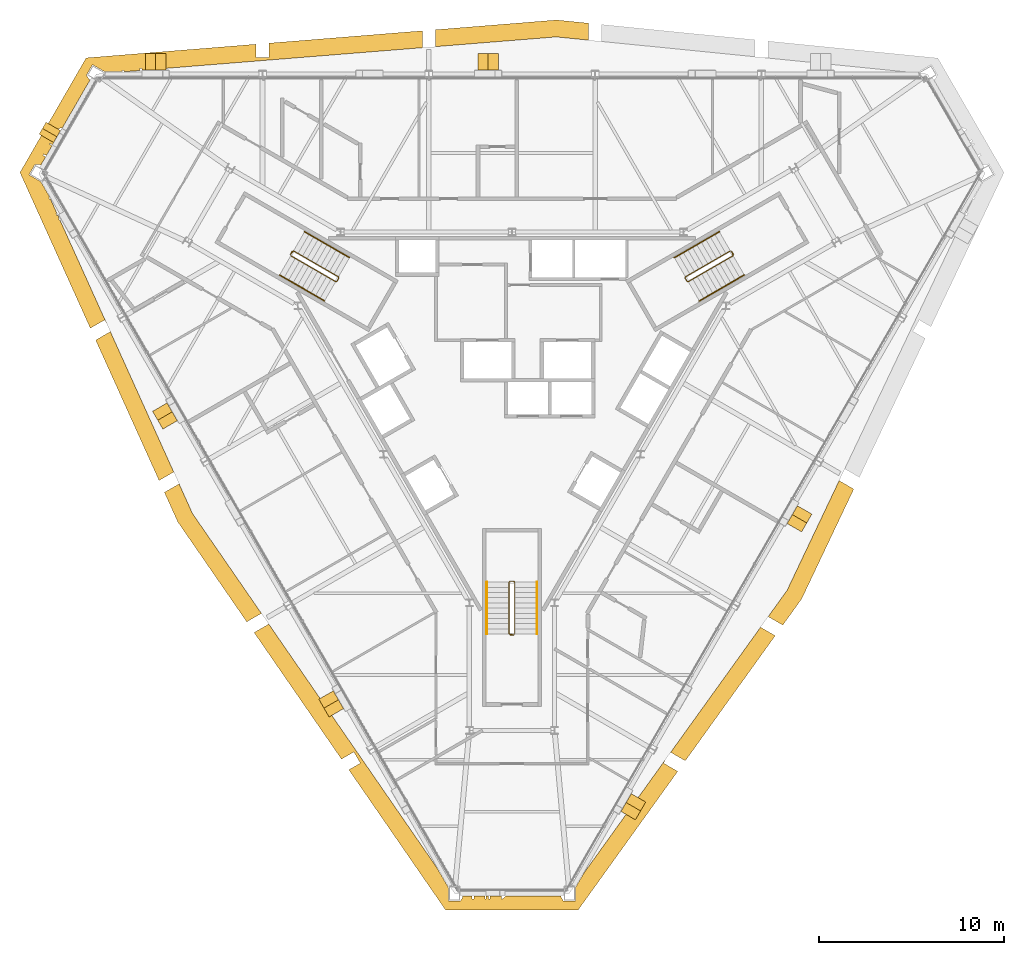
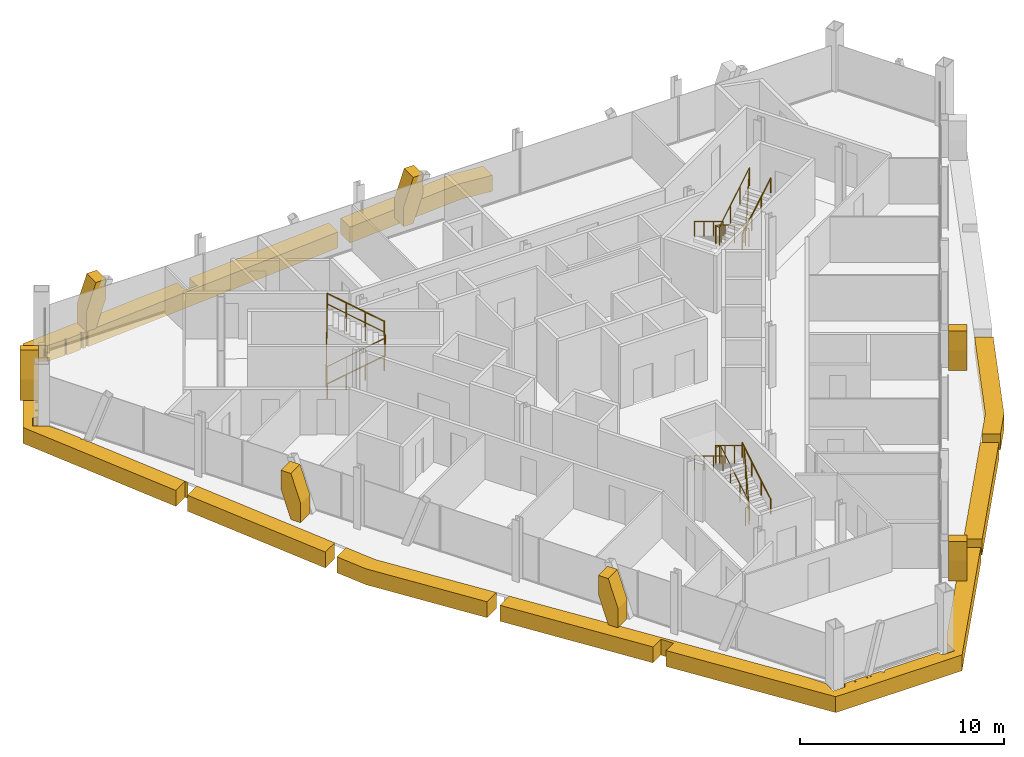
# One storey, part 15 of 16: 14 coverings, 9 railings.
"""IFC4 building model written with IfcOpenShell, lengths in metres."""

from ifc_helpers import new_model, si_unit, direction, frame, origin, origin_2d, place, context, subcontext, project, spatial, polyline, circle, outline, extrude, material, layer, layer_set, type_object, element, save


model = new_model("IFC4")

# Units and contexts
model_context = context("Model", 3, precision=1e-05, world=origin(), true_north=direction((0.0, 1.0)))
body_context = subcontext(model_context, "Body", "Model", "MODEL_VIEW")
ifc_project = project(units=[si_unit("LENGTHUNIT", "METRE"), si_unit("AREAUNIT", "SQUARE_METRE"), si_unit("VOLUMEUNIT", "CUBIC_METRE"), si_unit("PLANEANGLEUNIT", "RADIAN"), si_unit("MASSUNIT", "GRAM", prefix="KILO")], contexts=[model_context])

# Site, building, storey
site_placement = place(None, origin())
site = spatial("IfcSite", under=ifc_project, at=site_placement, CompositionType="ELEMENT")
building_placement = place(site_placement, origin())
building = spatial("IfcBuilding", under=site, at=building_placement, Name="Verrane Prism Tower", CompositionType="ELEMENT")
storey_placement = place(building_placement, frame((0.0, 0.0, 239.699951171875)))
storey = spatial("IfcBuildingStorey", under=building, at=storey_placement, Name="L60", CompositionType="ELEMENT", Elevation=239.699951171875)

# Railings
ifc_material_1 = material(Name="Steel A36 rail and posts, no infill", Category="steel")
railing_type_1 = type_object("IfcRailingType", Name="Stair guard 1100 steel rail and posts", PredefinedType="GUARDRAIL", material=ifc_material_1)
railing_1_placement = place(storey_placement, frame((11.78955078125, 6.97998046875, 0.168212890625)))
element("IfcRailing", 1, at=railing_1_placement, inside=storey, type_object=railing_type_1, Name="Stair 1 guard", PredefinedType="GUARDRAIL", context=body_context, shape_type="SweptSolid", body=[
    extrude(circle(Radius=0.02392578125, at=origin_2d()), frame((0.0, 0.0, 1.076171875), z_axis=(-0.742366697286, -0.42866220388, 0.514917859203), x_axis=(0.500049511043, -0.865996816683, 0.0)), (0.0, 0.0, 1.0), 3.266357421875),
    extrude(circle(Radius=0.02392578125, at=origin_2d()), frame((-2.4248046875, -1.400146484375, 2.7578125), z_axis=(-0.259601060869, -0.965715946433, 0.0), x_axis=(0.965715946433, -0.259601060869, 0.0)), (0.0, 0.0, 1.0), 0.070556640625),
    extrude(circle(Radius=0.02392578125, at=origin_2d()), frame((-2.443115234375, -1.46826171875, 2.7578125), z_axis=(0.499158860599, -0.866510491504, 0.0), x_axis=(0.866510491504, 0.499158860599, 0.0)), (0.0, 0.0, 1.0), 0.199951171875),
    extrude(circle(Radius=0.02392578125, at=origin_2d()), frame((-2.34326171875, -1.6416015625, 2.7578125), z_axis=(0.374585375571, -0.100335368456, 0.921747584887), x_axis=(0.258736085224, 0.965948051503, 0.0)), (0.0, 0.0, 1.0), 0.182373046875),
    extrude(circle(Radius=0.02392578125, at=origin_2d()), frame((-2.27490234375, -1.659912109375, 2.92626953125), z_axis=(0.742395268701, 0.428678701772, 0.514862928999), x_axis=(-0.500049511043, 0.865996816683, 0.0)), (0.0, 0.0, 1.0), 3.26611328125),
    extrude(circle(Radius=0.02392578125, at=origin_2d()), frame((0.14990234375, -0.259765625, 4.60791015625), z_axis=(-0.021986835041, 0.065104730107, -0.997636182785), x_axis=(-0.947430582667, -0.3199613899, 0.0)), (0.0, 0.0, 1.0), 3.708740234375),
    extrude(circle(Radius=0.02392578125, at=origin_2d()), frame((0.068359375, -0.018310546875, 0.90771484375), z_axis=(0.499158860599, -0.866510491504, 0.0), x_axis=(0.866510491504, 0.499158860599, 0.0)), (0.0, 0.0, 1.0), 0.199951171875),
    extrude(circle(Radius=0.02099609375, at=origin_2d()), origin(), (0.0, 0.0, 1.0), 1.052001953125),
    extrude(circle(Radius=0.02099609375, at=origin_2d()), frame((-0.808349609375, -0.466796875, 0.560546875)), (0.0, 0.0, 1.0), 1.052001953125),
    extrude(circle(Radius=0.02099609375, at=origin_2d()), frame((-1.616455078125, -0.933349609375, 1.121337890625)), (0.0, 0.0, 1.0), 1.052001953125),
    extrude(circle(Radius=0.02099609375, at=origin_2d()), frame((-2.4248046875, -1.400146484375, 1.681884765625)), (0.0, 0.0, 1.0), 1.052001953125),
    extrude(circle(Radius=0.02099609375, at=origin_2d()), frame((-2.443115234375, -1.46826171875, 1.681884765625)), (0.0, 0.0, 1.0), 1.052001953125),
    extrude(circle(Radius=0.02099609375, at=origin_2d()), frame((-2.34326171875, -1.6416015625, 1.681884765625)), (0.0, 0.0, 1.0), 1.052001953125),
    extrude(circle(Radius=0.02099609375, at=origin_2d()), frame((-2.27490234375, -1.659912109375, 1.85009765625)), (0.0, 0.0, 1.0), 1.052001953125),
    extrude(circle(Radius=0.02099609375, at=origin_2d()), frame((-1.466552734375, -1.193115234375, 2.41064453125)), (0.0, 0.0, 1.0), 1.052001953125),
    extrude(circle(Radius=0.02099609375, at=origin_2d()), frame((-0.658447265625, -0.7265625, 2.97119140625)), (0.0, 0.0, 1.0), 1.052001953125),
    extrude(circle(Radius=0.02099609375, at=origin_2d()), frame((0.14990234375, -0.259765625, 3.53173828125)), (0.0, 0.0, 1.0), 1.052001953125),
    extrude(circle(Radius=0.02099609375, at=origin_2d()), frame((0.12939453125, -0.199462890625, 2.606689453125)), (0.0, 0.0, 1.0), 1.052001953125),
    extrude(circle(Radius=0.02099609375, at=origin_2d()), frame((0.109130859375, -0.13916015625, 1.681640625)), (0.0, 0.0, 1.0), 1.052001953125),
    extrude(circle(Radius=0.02099609375, at=origin_2d()), frame((0.0888671875, -0.07861328125, 0.7568359375)), (0.0, 0.0, 1.0), 1.052001953125),
    extrude(circle(Radius=0.02099609375, at=origin_2d()), frame((0.068359375, -0.018310546875, -0.168212890625)), (0.0, 0.0, 1.0), 1.052001953125),
    extrude(circle(Radius=0.02099609375, at=origin_2d()), frame((0.168212890625, -0.191650390625, -0.168212890625)), (0.0, 0.0, 1.0), 1.052001953125),
])
railing_2_placement = place(storey_placement, frame((-11.939453125, 6.72021484375, 0.168212890625)))
element("IfcRailing", 2, at=railing_2_placement, inside=storey, type_object=railing_type_1, Name="Stair 2 guard", PredefinedType="GUARDRAIL", context=body_context, shape_type="SweptSolid", body=[
    extrude(circle(Radius=0.02392578125, at=origin_2d()), frame((0.0, 0.0, 1.076171875), z_axis=(0.742366697286, -0.42866220388, 0.514917859203), x_axis=(0.500049511043, 0.865996816683, 0.0)), (0.0, 0.0, 1.0), 3.266357421875),
    extrude(circle(Radius=0.02392578125, at=origin_2d()), frame((2.4248046875, -1.400146484375, 2.7578125), z_axis=(0.965948051503, 0.258736085224, 0.0), x_axis=(-0.258736085224, 0.965948051503, 0.0)), (0.0, 0.0, 1.0), 0.07080078125),
    extrude(circle(Radius=0.02392578125, at=origin_2d()), frame((2.4931640625, -1.3818359375, 2.7578125), z_axis=(0.499158860599, 0.866510491504, 0.0), x_axis=(-0.866510491504, 0.499158860599, 0.0)), (0.0, 0.0, 1.0), 0.199951171875),
    extrude(circle(Radius=0.02392578125, at=origin_2d()), frame((2.593017578125, -1.20849609375, 2.7578125), z_axis=(-0.100385596638, 0.373434419493, 0.922209014446), x_axis=(-0.965715946433, -0.259601060869, 0.0)), (0.0, 0.0, 1.0), 0.182373046875),
    extrude(circle(Radius=0.02392578125, at=origin_2d()), frame((2.57470703125, -1.140380859375, 2.92626953125), z_axis=(-0.742395268701, 0.428678701772, 0.514862928999), x_axis=(-0.500049511043, -0.865996816683, 0.0)), (0.0, 0.0, 1.0), 3.26611328125),
    extrude(circle(Radius=0.02392578125, at=origin_2d()), frame((0.14990234375, 0.259765625, 4.60791015625), z_axis=(-0.04535595117, -0.051675503147, -0.99763343973), x_axis=(0.751567565678, -0.659656118156, 0.0)), (0.0, 0.0, 1.0), 3.708740234375),
    extrude(circle(Radius=0.02392578125, at=origin_2d()), frame((-0.018310546875, 0.068115234375, 0.90771484375), z_axis=(0.499158860599, 0.866510491504, 0.0), x_axis=(-0.866510491504, 0.499158860599, 0.0)), (0.0, 0.0, 1.0), 0.199951171875),
    extrude(circle(Radius=0.02099609375, at=origin_2d()), origin(), (0.0, 0.0, 1.0), 1.052001953125),
    extrude(circle(Radius=0.02099609375, at=origin_2d()), frame((0.808349609375, -0.466796875, 0.560546875)), (0.0, 0.0, 1.0), 1.052001953125),
    extrude(circle(Radius=0.02099609375, at=origin_2d()), frame((1.616455078125, -0.933349609375, 1.121337890625)), (0.0, 0.0, 1.0), 1.052001953125),
    extrude(circle(Radius=0.02099609375, at=origin_2d()), frame((2.4248046875, -1.400146484375, 1.681884765625)), (0.0, 0.0, 1.0), 1.052001953125),
    extrude(circle(Radius=0.02099609375, at=origin_2d()), frame((2.4931640625, -1.3818359375, 1.681884765625)), (0.0, 0.0, 1.0), 1.052001953125),
    extrude(circle(Radius=0.02099609375, at=origin_2d()), frame((2.593017578125, -1.20849609375, 1.681884765625)), (0.0, 0.0, 1.0), 1.052001953125),
    extrude(circle(Radius=0.02099609375, at=origin_2d()), frame((2.57470703125, -1.140380859375, 1.85009765625)), (0.0, 0.0, 1.0), 1.052001953125),
    extrude(circle(Radius=0.02099609375, at=origin_2d()), frame((1.766357421875, -0.673583984375, 2.41064453125)), (0.0, 0.0, 1.0), 1.052001953125),
    extrude(circle(Radius=0.02099609375, at=origin_2d()), frame((0.958251953125, -0.20703125, 2.97119140625)), (0.0, 0.0, 1.0), 1.052001953125),
    extrude(circle(Radius=0.02099609375, at=origin_2d()), frame((0.14990234375, 0.259765625, 3.53173828125)), (0.0, 0.0, 1.0), 1.052001953125),
    extrude(circle(Radius=0.02099609375, at=origin_2d()), frame((0.10791015625, 0.2119140625, 2.606689453125)), (0.0, 0.0, 1.0), 1.052001953125),
    extrude(circle(Radius=0.02099609375, at=origin_2d()), frame((0.06591796875, 0.1640625, 1.681640625)), (0.0, 0.0, 1.0), 1.052001953125),
    extrude(circle(Radius=0.02099609375, at=origin_2d()), frame((0.023681640625, 0.115966796875, 0.7568359375)), (0.0, 0.0, 1.0), 1.052001953125),
    extrude(circle(Radius=0.02099609375, at=origin_2d()), frame((-0.018310546875, 0.068115234375, -0.168212890625)), (0.0, 0.0, 1.0), 1.052001953125),
    extrude(circle(Radius=0.02099609375, at=origin_2d()), frame((0.08154296875, 0.241455078125, -0.168212890625)), (0.0, 0.0, 1.0), 1.052001953125),
])
railing_3_placement = place(storey_placement, frame((0.14990234375, -13.699951171875, 0.168212890625)))
element("IfcRailing", 3, at=railing_3_placement, inside=storey, type_object=railing_type_1, Name="Stair 3 guard", PredefinedType="GUARDRAIL", context=body_context, shape_type="SweptSolid", body=[
    extrude(circle(Radius=0.02392578125, at=origin_2d()), frame((0.0, 0.0, 1.076171875), z_axis=(0.0, 0.857242210791, 0.514913383045), x_axis=(-1.0, 0.0, 0.0)), (0.0, 0.0, 1.0), 3.266357421875),
    extrude(circle(Radius=0.02392578125, at=origin_2d()), frame((0.0, 2.800048828125, 2.7578125), z_axis=(-0.707106781187, 0.707106781187, 0.0), x_axis=(-0.707106781187, -0.707106781187, 0.0)), (0.0, 0.0, 1.0), 0.0703125),
    extrude(circle(Radius=0.02392578125, at=origin_2d()), frame((-0.0498046875, 2.849853515625, 2.7578125), z_axis=(-1.0, 0.0, 0.0), x_axis=(0.0, -1.0, 0.0)), (0.0, 0.0, 1.0), 0.2001953125),
    extrude(circle(Radius=0.02392578125, at=origin_2d()), frame((-0.25, 2.849853515625, 2.7578125), z_axis=(-0.273106073848, -0.273106073848, 0.922402376869), x_axis=(0.707106781187, -0.707106781187, 0.0)), (0.0, 0.0, 1.0), 0.182373046875),
    extrude(circle(Radius=0.02392578125, at=origin_2d()), frame((-0.2998046875, 2.800048828125, 2.92626953125), z_axis=(0.0, -0.857275202839, 0.514858452973), x_axis=(1.0, 0.0, 0.0)), (0.0, 0.0, 1.0), 3.26611328125),
    extrude(circle(Radius=0.02392578125, at=origin_2d()), frame((-0.2998046875, 0.0, 4.60791015625), z_axis=(0.067408604812, -0.013494886706, -0.997634185476), x_axis=(0.196300278283, 0.98054382908, 0.0)), (0.0, 0.0, 1.0), 3.708740234375),
    extrude(circle(Radius=0.02392578125, at=origin_2d()), frame((-0.0498046875, -0.050048828125, 0.90771484375), z_axis=(-1.0, 0.0, 0.0), x_axis=(0.0, -1.0, 0.0)), (0.0, 0.0, 1.0), 0.2001953125),
    extrude(circle(Radius=0.02099609375, at=origin_2d()), origin(), (0.0, 0.0, 1.0), 1.052001953125),
    extrude(circle(Radius=0.02099609375, at=origin_2d()), frame((0.0, 0.933349609375, 0.560546875)), (0.0, 0.0, 1.0), 1.052001953125),
    extrude(circle(Radius=0.02099609375, at=origin_2d()), frame((0.0, 1.86669921875, 1.121337890625)), (0.0, 0.0, 1.0), 1.052001953125),
    extrude(circle(Radius=0.02099609375, at=origin_2d()), frame((0.0, 2.800048828125, 1.681884765625)), (0.0, 0.0, 1.0), 1.052001953125),
    extrude(circle(Radius=0.02099609375, at=origin_2d()), frame((-0.0498046875, 2.849853515625, 1.681884765625)), (0.0, 0.0, 1.0), 1.052001953125),
    extrude(circle(Radius=0.02099609375, at=origin_2d()), frame((-0.25, 2.849853515625, 1.681884765625)), (0.0, 0.0, 1.0), 1.052001953125),
    extrude(circle(Radius=0.02099609375, at=origin_2d()), frame((-0.2998046875, 2.800048828125, 1.85009765625)), (0.0, 0.0, 1.0), 1.052001953125),
    extrude(circle(Radius=0.02099609375, at=origin_2d()), frame((-0.2998046875, 1.86669921875, 2.41064453125)), (0.0, 0.0, 1.0), 1.052001953125),
    extrude(circle(Radius=0.02099609375, at=origin_2d()), frame((-0.2998046875, 0.933349609375, 2.97119140625)), (0.0, 0.0, 1.0), 1.052001953125),
    extrude(circle(Radius=0.02099609375, at=origin_2d()), frame((-0.2998046875, 0.0, 3.53173828125)), (0.0, 0.0, 1.0), 1.052001953125),
    extrude(circle(Radius=0.02099609375, at=origin_2d()), frame((-0.2373046875, -0.012451171875, 2.606689453125)), (0.0, 0.0, 1.0), 1.052001953125),
    extrude(circle(Radius=0.02099609375, at=origin_2d()), frame((-0.1748046875, -0.02490234375, 1.681640625)), (0.0, 0.0, 1.0), 1.052001953125),
    extrude(circle(Radius=0.02099609375, at=origin_2d()), frame((-0.1123046875, -0.03759765625, 0.7568359375)), (0.0, 0.0, 1.0), 1.052001953125),
    extrude(circle(Radius=0.02099609375, at=origin_2d()), frame((-0.0498046875, -0.050048828125, -0.168212890625)), (0.0, 0.0, 1.0), 1.052001953125),
    extrude(circle(Radius=0.02099609375, at=origin_2d()), frame((-0.25, -0.050048828125, -0.168212890625)), (0.0, 0.0, 1.0), 1.052001953125),
])
ifc_material_2 = material(Name="Steel A36 tube", Category="steel")
railing_type_2 = type_object("IfcRailingType", Name="Stair handrail 900 steel tube", PredefinedType="HANDRAIL", material=ifc_material_2)
railing_4_placement = place(storey_placement, frame((11.189453125, 8.01904296875, 0.168212890625)))
element("IfcRailing", 4, at=railing_4_placement, inside=storey, type_object=railing_type_2, Name="Stair 1 handrail", PredefinedType="HANDRAIL", context=body_context, shape_type="SweptSolid", body=[
    extrude(circle(Radius=0.02392578125, at=origin_2d()), frame((0.0, 0.0, 0.8759765625), z_axis=(-0.742390482028, -0.42860119049, 0.514934356695), x_axis=(0.49998411664, -0.866034573852, 0.0)), (0.0, 0.0, 1.0), 3.26611328125),
    extrude(circle(Radius=0.02099609375, at=origin_2d()), origin(), (0.0, 0.0, 1.0), 0.851806640625),
    extrude(circle(Radius=0.02099609375, at=origin_2d()), frame((-0.808349609375, -0.466552734375, 0.560546875)), (0.0, 0.0, 1.0), 0.851806640625),
    extrude(circle(Radius=0.02099609375, at=origin_2d()), frame((-1.616455078125, -0.933349609375, 1.121337890625)), (0.0, 0.0, 1.0), 0.851806640625),
    extrude(circle(Radius=0.02099609375, at=origin_2d()), frame((-2.4248046875, -1.39990234375, 1.681884765625)), (0.0, 0.0, 1.0), 0.851806640625),
])
railing_5_placement = place(storey_placement, frame((10.11474609375, 4.28076171875, 2.018310546875)))
element("IfcRailing", 5, at=railing_5_placement, inside=storey, type_object=railing_type_2, Name="Stair 1 handrail", PredefinedType="HANDRAIL", context=body_context, shape_type="SweptSolid", body=[
    extrude(circle(Radius=0.02392578125, at=origin_2d()), frame((0.0, 0.0, 0.8759765625), z_axis=(0.742395268701, 0.428678701772, 0.514862928999), x_axis=(-0.500049511043, 0.865996816683, 0.0)), (0.0, 0.0, 1.0), 3.26611328125),
    extrude(circle(Radius=0.02099609375, at=origin_2d()), origin(), (0.0, 0.0, 1.0), 0.851806640625),
    extrude(circle(Radius=0.02099609375, at=origin_2d()), frame((0.808349609375, 0.466796875, 0.560546875)), (0.0, 0.0, 1.0), 0.851806640625),
    extrude(circle(Radius=0.02099609375, at=origin_2d()), frame((1.616455078125, 0.933349609375, 1.12109375)), (0.0, 0.0, 1.0), 0.851806640625),
    extrude(circle(Radius=0.02099609375, at=origin_2d()), frame((2.4248046875, 1.400146484375, 1.681640625)), (0.0, 0.0, 1.0), 0.851806640625),
])
railing_6_placement = place(storey_placement, frame((-12.53955078125, 5.680908203125, 0.168212890625)))
element("IfcRailing", 6, at=railing_6_placement, inside=storey, type_object=railing_type_2, Name="Stair 2 handrail", PredefinedType="HANDRAIL", context=body_context, shape_type="SweptSolid", body=[
    extrude(circle(Radius=0.02392578125, at=origin_2d()), frame((0.0, 0.0, 0.8759765625), z_axis=(0.742366697286, -0.42866220388, 0.514917859203), x_axis=(0.500049511043, 0.865996816683, 0.0)), (0.0, 0.0, 1.0), 3.266357421875),
    extrude(circle(Radius=0.02099609375, at=origin_2d()), origin(), (0.0, 0.0, 1.0), 0.851806640625),
    extrude(circle(Radius=0.02099609375, at=origin_2d()), frame((0.808349609375, -0.466796875, 0.560546875)), (0.0, 0.0, 1.0), 0.851806640625),
    extrude(circle(Radius=0.02099609375, at=origin_2d()), frame((1.616455078125, -0.933349609375, 1.121337890625)), (0.0, 0.0, 1.0), 0.851806640625),
    extrude(circle(Radius=0.02099609375, at=origin_2d()), frame((2.4248046875, -1.400146484375, 1.681884765625)), (0.0, 0.0, 1.0), 0.851806640625),
])
railing_7_placement = place(storey_placement, frame((-8.7646484375, 6.619140625, 2.018310546875)))
element("IfcRailing", 7, at=railing_7_placement, inside=storey, type_object=railing_type_2, Name="Stair 2 handrail", PredefinedType="HANDRAIL", context=body_context, shape_type="SweptSolid", body=[
    extrude(circle(Radius=0.02392578125, at=origin_2d()), frame((0.0, 0.0, 0.8759765625), z_axis=(-0.74241905619, 0.428617687091, 0.514879426), x_axis=(-0.49998411664, -0.866034573852, 0.0)), (0.0, 0.0, 1.0), 3.26611328125),
    extrude(circle(Radius=0.02099609375, at=origin_2d()), origin(), (0.0, 0.0, 1.0), 0.851806640625),
    extrude(circle(Radius=0.02099609375, at=origin_2d()), frame((-0.808349609375, 0.466552734375, 0.560546875)), (0.0, 0.0, 1.0), 0.851806640625),
    extrude(circle(Radius=0.02099609375, at=origin_2d()), frame((-1.616455078125, 0.933349609375, 1.12109375)), (0.0, 0.0, 1.0), 0.851806640625),
    extrude(circle(Radius=0.02099609375, at=origin_2d()), frame((-2.4248046875, 1.39990234375, 1.681640625)), (0.0, 0.0, 1.0), 0.851806640625),
])
railing_8_placement = place(storey_placement, frame((1.35009765625, -13.699951171875, 0.168212890625)))
element("IfcRailing", 8, at=railing_8_placement, inside=storey, type_object=railing_type_2, Name="Stair 3 handrail", PredefinedType="HANDRAIL", context=body_context, shape_type="SweptSolid", body=[
    extrude(circle(Radius=0.02392578125, at=origin_2d()), frame((0.0, 0.0, 0.8759765625), z_axis=(0.0, 0.857242210791, 0.514913383045), x_axis=(-1.0, 0.0, 0.0)), (0.0, 0.0, 1.0), 3.266357421875),
    extrude(circle(Radius=0.02099609375, at=origin_2d()), origin(), (0.0, 0.0, 1.0), 0.851806640625),
    extrude(circle(Radius=0.02099609375, at=origin_2d()), frame((0.0, 0.933349609375, 0.560546875)), (0.0, 0.0, 1.0), 0.851806640625),
    extrude(circle(Radius=0.02099609375, at=origin_2d()), frame((0.0, 1.86669921875, 1.121337890625)), (0.0, 0.0, 1.0), 0.851806640625),
    extrude(circle(Radius=0.02099609375, at=origin_2d()), frame((0.0, 2.800048828125, 1.681884765625)), (0.0, 0.0, 1.0), 0.851806640625),
])
railing_9_placement = place(storey_placement, frame((-1.35009765625, -10.89990234375, 2.018310546875)))
element("IfcRailing", 9, at=railing_9_placement, inside=storey, type_object=railing_type_2, Name="Stair 3 handrail", PredefinedType="HANDRAIL", context=body_context, shape_type="SweptSolid", body=[
    extrude(circle(Radius=0.02392578125, at=origin_2d()), frame((0.0, 0.0, 0.8759765625), z_axis=(0.0, -0.857275202839, 0.514858452973), x_axis=(1.0, 0.0, 0.0)), (0.0, 0.0, 1.0), 3.26611328125),
    extrude(circle(Radius=0.02099609375, at=origin_2d()), origin(), (0.0, 0.0, 1.0), 0.851806640625),
    extrude(circle(Radius=0.02099609375, at=origin_2d()), frame((0.0, -0.933349609375, 0.560546875)), (0.0, 0.0, 1.0), 0.851806640625),
    extrude(circle(Radius=0.02099609375, at=origin_2d()), frame((0.0, -1.86669921875, 1.12109375)), (0.0, 0.0, 1.0), 0.851806640625),
    extrude(circle(Radius=0.02099609375, at=origin_2d()), frame((0.0, -2.800048828125, 1.681640625)), (0.0, 0.0, 1.0), 0.851806640625),
])

# Coverings
ifc_material_3 = material(Name="Warm limestone cladding", Category="masonry")
ifc_layer_1 = layer(ifc_material_3, 0.89990234375)
ifc_layer_set_1 = layer_set([ifc_layer_1], Name="Stone brace fin 900")
covering_type_1 = type_object("IfcCoveringType", Name="Stone brace fin 900", PredefinedType="CLADDING", material=ifc_layer_set_1)
covering_1_placement = place(storey_placement, frame((-1.8369140625, 17.18310546875, 0.0), z_axis=(0.0, 0.0, 1.0), x_axis=(1.0, 0.0, 0.0)))
element("IfcCovering", 10, at=covering_1_placement, inside=storey, type_object=covering_type_1, Name="Stone brace fin N3 L60", PredefinedType="CLADDING", context=body_context, shape_type="SweptSolid", body=[
    extrude(outline(polyline([(1.108154296875, 2.75), (0.55224609375, 2.75), (0.0, 1.1572265625), (0.0, 0.0), (0.551513671875, 0.0), (1.108154296875, 1.605712890625), (1.108154296875, 2.75)])), frame((0.0, 0.449951171875, 0.0), z_axis=(0.0, -1.0, 0.0), x_axis=(1.0, 0.0, 0.0)), (0.0, 0.0, 1.0), 0.89990234375),
])
covering_2_placement = place(storey_placement, frame((-19.77978515625, 17.18310546875, 0.0), z_axis=(0.0, 0.0, 1.0), x_axis=(1.0, 0.0, 0.0)))
element("IfcCovering", 11, at=covering_2_placement, inside=storey, type_object=covering_type_1, Name="Stone brace fin N5 L60", PredefinedType="CLADDING", context=body_context, shape_type="SweptSolid", body=[
    extrude(outline(polyline([(1.10693359375, 2.75), (0.55126953125, 2.75), (0.0, 1.158447265625), (0.0, 0.0), (0.55126953125, 0.0), (1.10693359375, 1.6044921875), (1.10693359375, 2.75)])), frame((0.0, 0.449951171875, 0.0), z_axis=(0.0, -1.0, 0.0), x_axis=(1.0, 0.0, 0.0)), (0.0, 0.0, 1.0), 0.89990234375),
])
covering_3_placement = place(storey_placement, frame((-18.4521484375, -2.4111328125, 0.0), z_axis=(0.0, 0.0, 1.0), x_axis=(-0.500288618182, 0.865858705862, 0.0)))
element("IfcCovering", 12, at=covering_3_placement, inside=storey, type_object=covering_type_1, Name="Stone brace fin SW2 L60", PredefinedType="CLADDING", context=body_context, shape_type="SweptSolid", body=[
    extrude(outline(polyline([(1.107421875, 2.75), (0.551513671875, 2.75), (0.0, 1.157958984375), (0.0, 0.0), (0.55126953125, 0.0), (1.107421875, 1.60498046875), (1.107421875, 2.75)])), frame((0.0, 0.449951171875, 0.0), z_axis=(0.0, -1.0, 0.0), x_axis=(1.0, 0.0, 0.0)), (0.0, 0.0, 1.0), 0.89990234375),
])
covering_4_placement = place(storey_placement, frame((-9.4794921875, -17.95068359375, 0.0), z_axis=(0.0, 0.0, 1.0), x_axis=(-0.499461420326, 0.86633612969, 0.0)))
element("IfcCovering", 13, at=covering_4_placement, inside=storey, type_object=covering_type_1, Name="Stone brace fin SW4 L60", PredefinedType="CLADDING", context=body_context, shape_type="SweptSolid", body=[
    extrude(outline(polyline([(1.106689453125, 2.75), (0.551025390625, 2.75), (0.0, 1.15869140625), (0.0, 0.0), (0.55126953125, 0.0), (1.106689453125, 1.604248046875), (1.106689453125, 2.75)])), frame((0.0, 0.449951171875, 0.0), z_axis=(0.0, -1.0, 0.0), x_axis=(1.0, 0.0, 0.0)), (0.0, 0.0, 1.0), 0.89990234375),
])
for number, where, z_axis, x_axis, name in (
    (14, (6.8291015625, -22.54248046875, 0.0), (0.0, 0.0, 1.0), (-0.500453893621, -0.865763189538, 0.0), "Stone brace fin SE1 L60"),
    (15, (15.799072265625, -7.00244140625, 0.0), (0.0, 0.0, 1.0), (-0.500288618182, -0.865858705862, 0.0), "Stone brace fin SE3 L60"),
):
    element("IfcCovering", number, at=place(storey_placement, frame(where, z_axis=z_axis, x_axis=x_axis)), inside=storey, type_object=covering_type_1, Name=name, PredefinedType="CLADDING", context=body_context, shape_type="SweptSolid", body=[
        extrude(outline(polyline([(1.107421875, 2.75), (0.551513671875, 2.75), (0.0, 1.157958984375), (0.0, 0.0), (0.55126953125, 0.0), (1.107421875, 1.60498046875), (1.107421875, 2.75)])), frame((0.0, 0.449951171875, 0.0), z_axis=(0.0, -1.0, 0.0), x_axis=(1.0, 0.0, 0.0)), (0.0, 0.0, 1.0), 0.89990234375),
    ])
covering_5_placement = place(storey_placement, frame((-25.130615234375, 13.056884765625, 0.0), z_axis=(0.0, 0.0, 1.0), x_axis=(0.499949632511, 0.866054481515, 0.0)))
element("IfcCovering", 16, at=covering_5_placement, inside=storey, type_object=covering_type_1, Name="Stone brace fin NW1 L60", PredefinedType="CLADDING", context=body_context, shape_type="SweptSolid", body=[
    extrude(outline(polyline([(0.744140625, 2.75), (0.357421875, 2.75), (0.0, 1.257568359375), (0.0, 0.0), (0.417236328125, 0.0), (0.744140625, 1.36572265625), (0.744140625, 2.75)])), frame((0.0, 0.449951171875, 0.0), z_axis=(0.0, -1.0, 0.0), x_axis=(1.0, 0.0, 0.0)), (0.0, 0.0, 1.0), 0.89990234375),
])
ifc_material_4 = material(Name="Warm limestone cladding", Category="masonry")
ifc_layer_2 = layer(ifc_material_4, 0.449951171875)
ifc_layer_set_2 = layer_set([ifc_layer_2], Name="Stone spandrel band 450")
covering_type_2 = type_object("IfcCoveringType", Name="Stone spandrel band 450", PredefinedType="CLADDING", material=ifc_layer_set_2)
covering_6_placement = place(storey_placement, frame((0.0, 0.0, -0.949951171875)))
element("IfcCovering", 17, at=covering_6_placement, inside=storey, type_object=covering_type_2, Name="Stone spandrel band L60 part 1", PredefinedType="CLADDING", context=body_context, shape_type="SweptSolid", body=[
    extrude(outline(polyline([(3.565673828125, -28.602294921875), (8.94775390625, -21.112060546875), (8.181884765625, -20.669677734375), (8.293701171875, -20.475830078125), (8.287353515625, -20.4716796875), (3.882568359375, -26.601806640625), (3.429931640625, -27.3857421875), (3.429931640625, -28.1201171875), (2.77001953125, -28.1201171875), (2.77001953125, -28.09814453125), (2.6591796875, -27.908935546875), (2.6591796875, -27.82568359375), (-0.33203125, -27.82568359375), (-0.47900390625, -27.991943359375), (-0.513671875, -27.961181640625), (-0.513671875, -27.989990234375), (-0.565185546875, -27.989990234375), (-0.565185546875, -27.91552734375), (-0.566162109375, -27.914794921875), (-0.565185546875, -27.913818359375), (-0.565185546875, -27.82568359375), (-1.17578125, -27.82568359375), (-1.17578125, -27.989990234375), (-1.2578125, -27.989990234375), (-1.2578125, -27.82568359375), (-1.3994140625, -27.82568359375), (-1.3994140625, -27.989990234375), (-1.450927734375, -27.989990234375), (-1.450927734375, -27.82568359375), (-2.0615234375, -27.82568359375), (-2.0615234375, -27.989990234375), (-2.1435546875, -27.989990234375), (-2.1435546875, -27.82568359375), (-2.48681640625, -27.82568359375), (-2.511962890625, -27.84033203125), (-2.5205078125, -27.82568359375), (-2.6591796875, -27.82568359375), (-2.6591796875, -27.908935546875), (-2.77001953125, -28.09814453125), (-2.77001953125, -28.1201171875), (-3.429931640625, -28.1201171875), (-3.429931640625, -27.3857421875), (-4.0419921875, -26.32568359375), (-13.124755859375, -13.162353515625), (-13.915283203125, -13.618896484375), (-9.201416015625, -20.4501953125), (-8.53173828125, -20.0634765625), (-8.181884765625, -20.669677734375), (-8.802734375, -21.0283203125), (-3.57666015625, -28.602294921875), (3.565673828125, -28.602294921875)])), origin(), (0.0, 0.0, 1.0), 0.949951171875),
])
covering_7_placement = place(storey_placement, frame((0.0, 0.0, -0.949951171875)))
element("IfcCovering", 18, at=covering_7_placement, inside=storey, type_object=covering_type_2, Name="Stone spandrel band L60 part 3", PredefinedType="CLADDING", context=body_context, shape_type="SweptSolid", body=[
    extrude(outline(polyline([(-21.98779296875, 3.251220703125), (-21.896484375, 3.093017578125), (-21.889892578125, 3.096435546875), (-24.389404296875, 8.63232421875), (-24.41162109375, 8.61962890625), (-24.46630859375, 8.714599609375), (-24.434814453125, 8.73291015625), (-24.51611328125, 8.9130859375), (-24.566162109375, 8.891357421875), (-24.610107421875, 8.9912109375), (-24.56103515625, 9.0126953125), (-24.90869140625, 9.78271484375), (-24.949462890625, 9.764892578125), (-24.99169921875, 9.86083984375), (-24.951904296875, 9.878173828125), (-24.979248046875, 9.938720703125), (-25.431640625, 10.72216796875), (-26.0673828125, 11.089111328125), (-25.7373046875, 11.660888671875), (-25.718505859375, 11.64990234375), (-25.49951171875, 11.64990234375), (-25.427978515625, 11.608642578125), (-25.358154296875, 11.729736328125), (-25.366943359375, 11.7451171875), (-25.3408203125, 11.760009765625), (-25.16943359375, 12.056396484375), (-25.3115234375, 12.138427734375), (-25.2705078125, 12.20947265625), (-25.12841796875, 12.127685546875), (-24.8232421875, 12.65625), (-24.96533203125, 12.73828125), (-24.939453125, 12.782958984375), (-24.797607421875, 12.700927734375), (-24.726806640625, 12.823486328125), (-24.86865234375, 12.905517578125), (-24.82763671875, 12.9765625), (-24.685791015625, 12.89453125), (-24.38037109375, 13.42333984375), (-24.455078125, 13.466552734375), (-24.45751953125, 13.466064453125), (-24.4580078125, 13.46826171875), (-24.5224609375, 13.50537109375), (-24.49658203125, 13.550048828125), (-24.471923828125, 13.535888671875), (-24.481201171875, 13.580322265625), (-24.263916015625, 13.625), (-22.767578125, 16.217041015625), (-22.84033203125, 16.259033203125), (-22.948486328125, 16.4482421875), (-22.96728515625, 16.459228515625), (-22.637451171875, 17.03076171875), (-22.0009765625, 16.663330078125), (-21.03076171875, 16.663330078125), (-21.0361328125, 16.712890625), (-20.931640625, 16.72412109375), (-20.925048828125, 16.663330078125), (-20.777587890625, 16.663330078125), (-20.080810546875, 16.719482421875), (-20.091552734375, 16.81640625), (-19.98291015625, 16.828125), (-19.971923828125, 16.728271484375), (-19.77978515625, 16.74365234375), (-19.77978515625, 16.830078125), (-19.670166015625, 16.830078125), (-19.670166015625, 16.752685546875), (-18.787109375, 16.82373046875), (-18.787109375, 16.830078125), (-18.708984375, 16.830078125), (-4.836669921875, 17.947509765625), (-4.836669921875, 18.8603515625), (-13.109619140625, 18.19384765625), (-13.109619140625, 17.416259765625), (-13.809814453125, 17.416259765625), (-13.809814453125, 18.137451171875), (-22.98193359375, 17.3984375), (-26.552978515625, 11.213134765625), (-22.75732421875, 2.806884765625), (-21.98779296875, 3.251220703125)])), origin(), (0.0, 0.0, 1.0), 0.949951171875),
])
covering_8_placement = place(storey_placement, frame((0.0, 0.0, -0.949951171875)))
element("IfcCovering", 19, at=covering_8_placement, inside=storey, type_object=covering_type_2, Name="Stone spandrel band L60 part 4", PredefinedType="CLADDING", context=body_context, shape_type="SweptSolid", body=[
    extrude(outline(polyline([(-18.25439453125, -4.954345703125), (-21.676025390625, 2.623046875), (-22.4677734375, 2.166015625), (-19.04638671875, -5.41162109375), (-18.25439453125, -4.954345703125)])), origin(), (0.0, 0.0, 1.0), 0.949951171875),
])
covering_9_placement = place(storey_placement, frame((0.0, 0.0, -0.949951171875)))
element("IfcCovering", 20, at=covering_9_placement, inside=storey, type_object=covering_type_2, Name="Stone spandrel band L60 part 5", PredefinedType="CLADDING", context=body_context, shape_type="SweptSolid", body=[
    extrude(outline(polyline([(-13.523681640625, -12.58447265625), (-17.243896484375, -7.192626953125), (-17.965087890625, -5.595703125), (-18.7568359375, -6.052734375), (-18.039306640625, -7.641845703125), (-14.314208984375, -13.040771484375), (-13.523681640625, -12.58447265625)])), origin(), (0.0, 0.0, 1.0), 0.949951171875),
])
covering_10_placement = place(storey_placement, frame((0.0, 0.0, -0.949951171875)))
element("IfcCovering", 21, at=covering_10_placement, inside=storey, type_object=covering_type_2, Name="Stone spandrel band L60 part 6", PredefinedType="CLADDING", context=body_context, shape_type="SweptSolid", body=[
    extrude(outline(polyline([(14.209716796875, -13.788818359375), (13.41796875, -13.331787109375), (8.56640625, -20.08349609375), (9.358154296875, -20.540771484375), (14.209716796875, -13.788818359375)])), origin(), (0.0, 0.0, 1.0), 0.949951171875),
])
covering_11_placement = place(storey_placement, frame((0.0, 0.0, -0.949951171875)))
element("IfcCovering", 22, at=covering_11_placement, inside=storey, type_object=covering_type_2, Name="Stone spandrel band L60 part 7", PredefinedType="CLADDING", context=body_context, shape_type="SweptSolid", body=[
    extrude(outline(polyline([(17.66015625, -5.419677734375), (14.85107421875, -11.33740234375), (13.828369140625, -12.760498046875), (14.620361328125, -13.217529296875), (15.6376953125, -11.801513671875), (18.45068359375, -5.8759765625), (17.66015625, -5.419677734375)])), origin(), (0.0, 0.0, 1.0), 0.949951171875),
])
covering_12_placement = place(storey_placement, frame((0.0, 0.0, -0.949951171875)))
element("IfcCovering", 23, at=covering_12_placement, inside=storey, type_object=covering_type_2, Name="Stone spandrel band L60 part 9", PredefinedType="CLADDING", context=body_context, shape_type="SweptSolid", body=[
    extrude(outline(polyline([(-4.13671875, 18.916748046875), (-4.13671875, 18.00390625), (2.392822265625, 18.530029296875), (4.13671875, 18.35595703125), (4.13671875, 19.270263671875), (2.401611328125, 19.443359375), (-4.13671875, 18.916748046875)])), origin(), (0.0, 0.0, 1.0), 0.949951171875),
])

save(model, "model.ifc")
